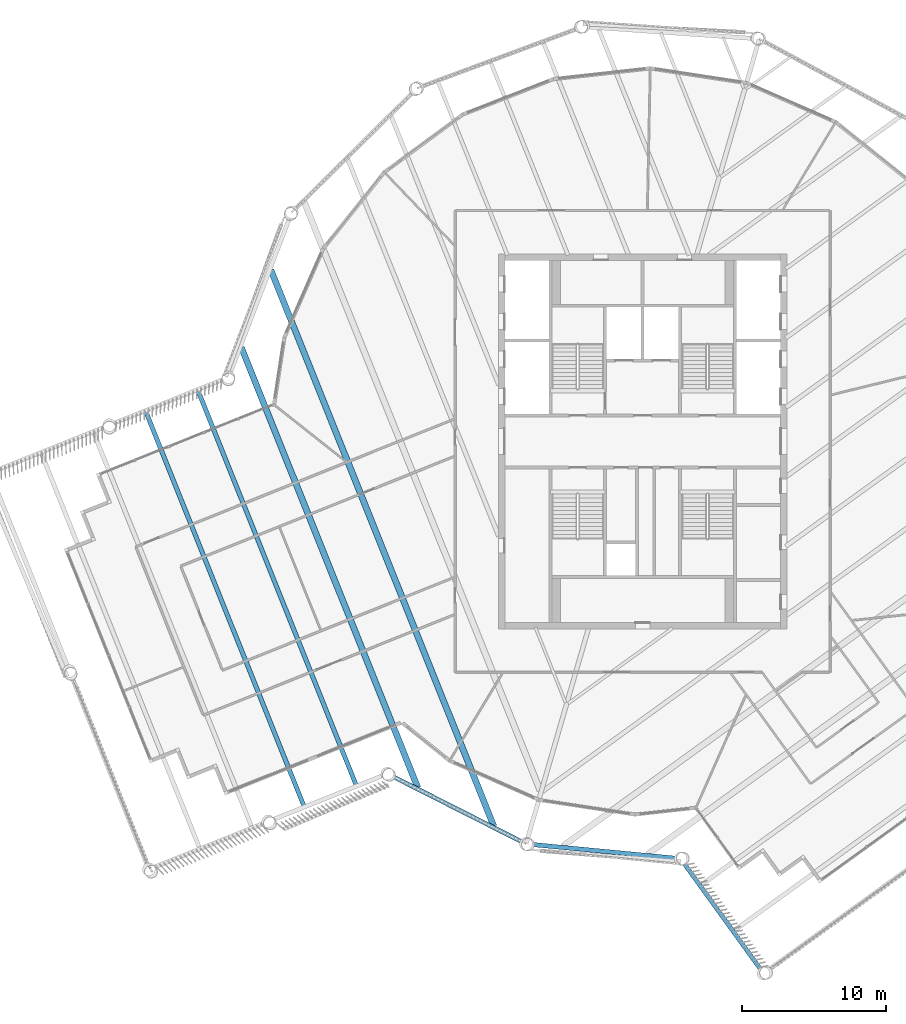
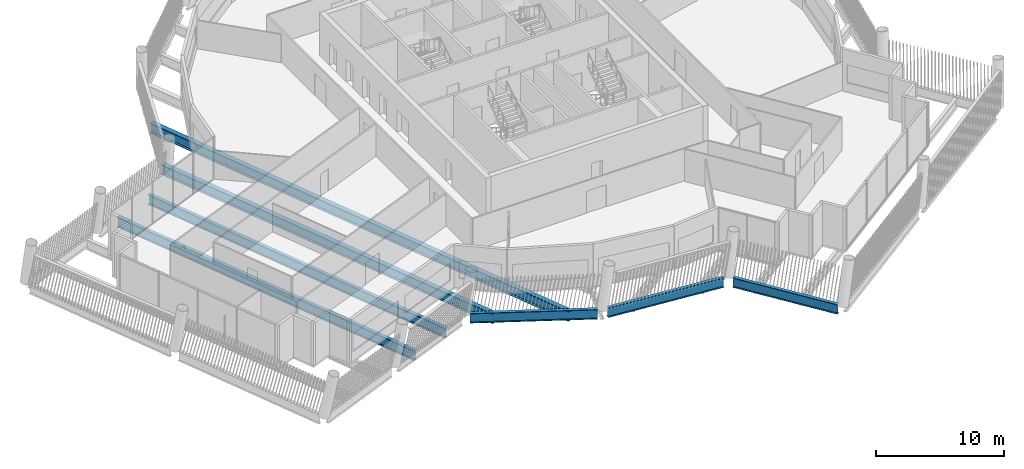
# One storey, part 6 of 27: 7 beams.
"""IFC4 building model written with IfcOpenShell, lengths in metres."""

from ifc_helpers import new_model, si_unit, direction, frame, origin, origin_2d, place, context, subcontext, project, spatial, i_section, extrude, material, material_profile, profile_set, type_object, element, save


model = new_model("IFC4")

# Units and contexts
model_context = context("Model", 3, precision=1e-05, world=origin(), true_north=direction((0.0, 1.0)))
body_context = subcontext(model_context, "Body", "Model", "MODEL_VIEW")
ifc_project = project(units=[si_unit("LENGTHUNIT", "METRE"), si_unit("AREAUNIT", "SQUARE_METRE"), si_unit("VOLUMEUNIT", "CUBIC_METRE"), si_unit("PLANEANGLEUNIT", "RADIAN"), si_unit("MASSUNIT", "GRAM", prefix="KILO")], contexts=[model_context])

# Site, building, storey
site_placement = place(None, origin())
site = spatial("IfcSite", under=ifc_project, at=site_placement, CompositionType="ELEMENT")
building_placement = place(site_placement, origin())
building = spatial("IfcBuilding", under=site, at=building_placement, Name="Tarsis Ring Headquarters", CompositionType="ELEMENT")
storey_placement = place(building_placement, frame((0.0, 0.0, 373.39990234375)))
storey = spatial("IfcBuildingStorey", under=building, at=storey_placement, Name="L88", CompositionType="ELEMENT", Elevation=373.39990234375)

# Beams
ifc_material = material(Name="Structural steel S355", Category="steel")
ifc_material_profile_1 = material_profile(ifc_material, i_section(OverallWidth=0.309814453125, OverallDepth=0.949951171875, WebThickness=0.0244140625, FlangeThickness=0.0439453125, at=origin_2d()), Name="W36x256")
ifc_profile_set_1 = profile_set([ifc_material_profile_1], Name="Structural steel S355")
beam_type_1 = type_object("IfcBeamType", Name="FB Floor beam W36x256", PredefinedType="JOIST", material=ifc_profile_set_1)
for number, where, z_axis, x_axis, name in (
    (1, (-30.826904296875, 3.532958984375, -0.635009765625), (0.372015672229, -0.928226448457, 0.0), (0.928226448457, 0.372015672229, 0.0), "Floor beam FB11"),
    (2, (-34.447021484375, 2.082275390625, -0.635009765625), (0.372015672229, -0.928226448457, 0.0), (0.928226448457, 0.372015672229, 0.0), "Floor beam FB11"),
):
    element("IfcBeam", number, at=place(storey_placement, frame(where, z_axis=z_axis, x_axis=x_axis)), inside=storey, type_object=beam_type_1, Name=name, PredefinedType="JOIST", context=body_context, shape_type="SweptSolid", body=[
        extrude(i_section(OverallWidth=0.309814453125, OverallDepth=0.949951171875, WebThickness=0.0244140625, FlangeThickness=0.0439453125, at=origin_2d()), origin(), (0.0, 0.0, 1.0), 29.4951171875),
    ])
ifc_material_profile_2 = material_profile(ifc_material, i_section(OverallWidth=0.42431640625, OverallDepth=0.947509765625, WebThickness=0.02392578125, FlangeThickness=0.042724609375, at=origin_2d()), Name="W36x302")
ifc_profile_set_2 = profile_set([ifc_material_profile_2], Name="Structural steel S355")
beam_type_2 = type_object("IfcBeamType", Name="FB Floor beam W36x302", PredefinedType="JOIST", material=ifc_profile_set_2)
beam_1_placement = place(storey_placement, frame((-25.767578125, 11.87646484375, -0.633544921875), z_axis=(0.372012899603, -0.928227559669, 0.0), x_axis=(0.928227559669, 0.372012899603, 0.0)))
element("IfcBeam", 3, at=beam_1_placement, inside=storey, type_object=beam_type_2, Name="Floor beam FB12", PredefinedType="JOIST", context=body_context, shape_type="SweptSolid", body=[
    extrude(i_section(OverallWidth=0.42431640625, OverallDepth=0.947509765625, WebThickness=0.02392578125, FlangeThickness=0.042724609375, at=origin_2d()), origin(), (0.0, 0.0, 1.0), 41.53125),
])
beam_2_placement = place(storey_placement, frame((-27.821044921875, 6.516357421875, -0.633544921875), z_axis=(0.372015279877, -0.928226605705, 0.0), x_axis=(0.928226605705, 0.372015279877, 0.0)))
element("IfcBeam", 4, at=beam_2_placement, inside=storey, type_object=beam_type_2, Name="Floor beam FB12", PredefinedType="JOIST", context=body_context, shape_type="SweptSolid", body=[
    extrude(i_section(OverallWidth=0.42431640625, OverallDepth=0.947509765625, WebThickness=0.02392578125, FlangeThickness=0.042724609375, at=origin_2d()), origin(), (0.0, 0.0, 1.0), 32.8828125),
])
ifc_material_profile_3 = material_profile(ifc_material, i_section(OverallWidth=0.3046875, OverallDepth=0.91943359375, WebThickness=0.017333984375, FlangeThickness=0.02783203125, at=origin_2d()), Name="W36x170")
ifc_profile_set_3 = profile_set([ifc_material_profile_3], Name="Structural steel S355")
beam_type_3 = type_object("IfcBeamType", Name="XG Ring girder W36x170", PredefinedType="BEAM", material=ifc_profile_set_3)
beam_3_placement = place(storey_placement, frame((-7.67529296875, -27.93994140625, -0.459716796875), z_axis=(0.995438162082, -0.095408938104, 0.0), x_axis=(0.095408938104, 0.995438162082, 0.0)))
element("IfcBeam", 5, at=beam_3_placement, inside=storey, type_object=beam_type_3, Name="Ring girder XG4", PredefinedType="BEAM", context=body_context, shape_type="SweptSolid", body=[
    extrude(i_section(OverallWidth=0.3046875, OverallDepth=0.91943359375, WebThickness=0.017333984375, FlangeThickness=0.02783203125, at=origin_2d()), origin(), (0.0, 0.0, 1.0), 9.948974609375),
])
beam_4_placement = place(storey_placement, frame((2.878662109375, -29.261962890625, -0.459716796875), z_axis=(0.585529258699, -0.810651273487, 0.0), x_axis=(0.810651273487, 0.585529258699, 0.0)))
element("IfcBeam", 6, at=beam_4_placement, inside=storey, type_object=beam_type_3, Name="Ring girder XG4", PredefinedType="BEAM", context=body_context, shape_type="SweptSolid", body=[
    extrude(i_section(OverallWidth=0.3046875, OverallDepth=0.91943359375, WebThickness=0.017333984375, FlangeThickness=0.02783203125, at=origin_2d()), origin(), (0.0, 0.0, 1.0), 8.981689453125),
])
beam_5_placement = place(storey_placement, frame((-17.32861328125, -23.222412109375, -0.459716796875), z_axis=(0.892242394659, -0.451556761851, 0.0), x_axis=(0.451556761851, 0.892242394659, 0.0)))
element("IfcBeam", 7, at=beam_5_placement, inside=storey, type_object=beam_type_3, Name="Ring girder XG4", PredefinedType="BEAM", context=body_context, shape_type="SweptSolid", body=[
    extrude(i_section(OverallWidth=0.3046875, OverallDepth=0.91943359375, WebThickness=0.017333984375, FlangeThickness=0.02783203125, at=origin_2d()), origin(), (0.0, 0.0, 1.0), 9.94873046875),
])

save(model, "model.ifc")
